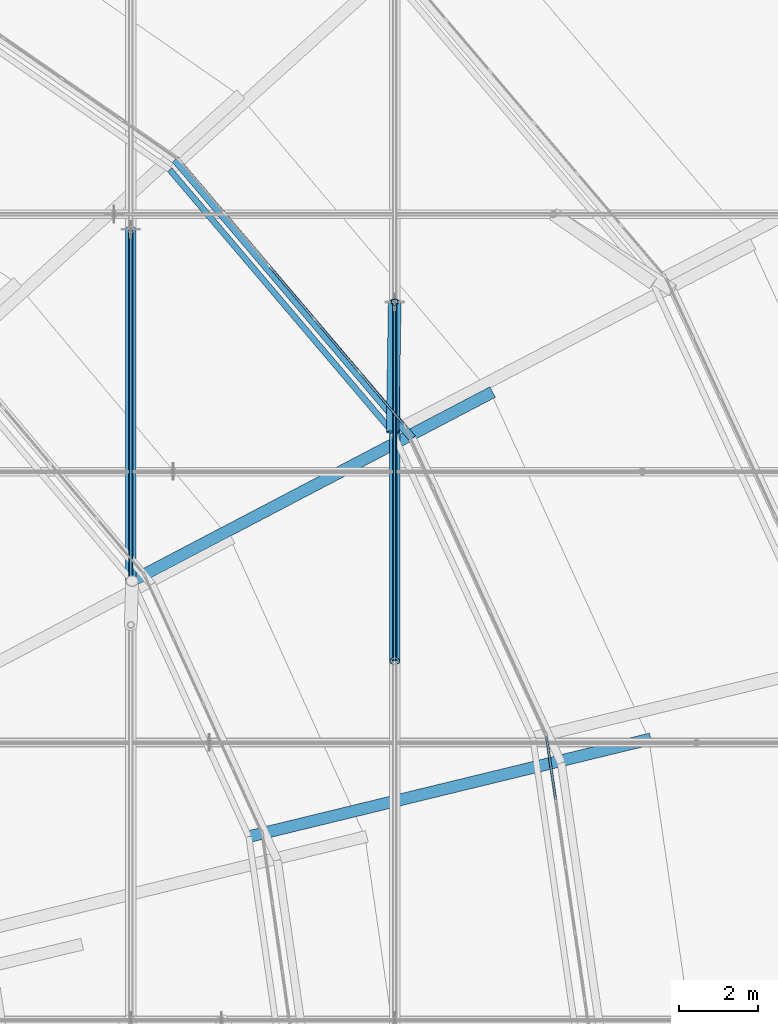
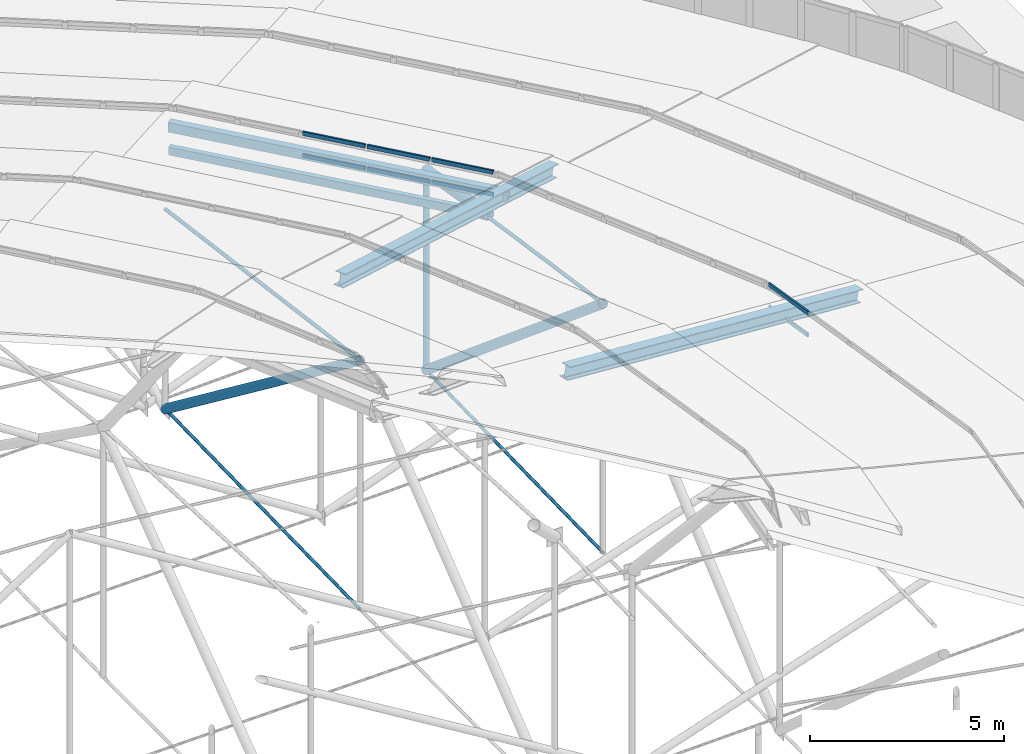
# One storey, part 95 of 173: 20 members, 2 elements without a shape of their own.
"""IFC4 building model written with IfcOpenShell, lengths in metres."""

import ifcopenshell
import ifcopenshell.guid

model = None  # the IFC model being written
_history = None  # IfcOwnerHistory: only IFC2X3 demands one
_inside = {}  # id of a spatial element -> (the spatial element, [elements in it])
_under = {}  # id of a project, library or spatial element -> (it, [spatial elements below it])
_declared = {}  # id of a project -> (the project, [libraries it declares])
_typed = {}  # id of a type object -> (the type object, [elements of that type])
_made_of = {}  # id of a material, layer set ... -> (it, [elements and type objects made of it])


def new_model(schema):
    """Start an empty IFC model of exactly this schema.

    Asked for "IFC4X3", IfcOpenShell would pick the latest addendum, in which some entities
    have other attributes; the version numbers below select the first issue.
    IFC2X3 requires an IfcOwnerHistory on every rooted entity: one is made here for all.
    """
    global model, _history
    if schema == "IFC4X3":
        model = ifcopenshell.file(schema_version=(4, 3, 0, 0))
    else:
        model = ifcopenshell.file(schema=schema)
    _inside.clear()
    _under.clear()
    _declared.clear()
    _typed.clear()
    _made_of.clear()
    _history = None
    if model.schema == "IFC2X3":
        org = make("IfcOrganization", Name="unknown")
        user = make(
            "IfcPersonAndOrganization",
            ThePerson=make("IfcPerson", FamilyName="unknown"),
            TheOrganization=org,
        )
        app = make(
            "IfcApplication",
            ApplicationDeveloper=org,
            Version="unknown",
            ApplicationFullName="unknown",
            ApplicationIdentifier="unknown",
        )
        _history = make(
            "IfcOwnerHistory",
            OwningUser=user,
            OwningApplication=app,
            ChangeAction="ADDED",
            CreationDate=0,
        )
    return model


def make(cls, **values):
    """One entity of the class cls with the attributes given. An attribute that is None is left unset."""
    return model.create_entity(
        cls, **{name: value for name, value in values.items() if value is not None}
    )


def rooted(cls, **values):
    """An entity with a GlobalId (a new one), such as an element, a storey or a relation."""
    return make(cls, GlobalId=ifcopenshell.guid.new(), OwnerHistory=_history, **values)


def si_unit(unit_type, name, prefix=None):
    """IfcSIUnit, for example si_unit("LENGTHUNIT", "METRE", prefix="MILLI")."""
    return make("IfcSIUnit", UnitType=unit_type, Prefix=prefix, Name=name)


def assignment(units):
    """IfcUnitAssignment: the units of a project."""
    return None if units is None else make("IfcUnitAssignment", Units=units)


def point(xyz):
    """IfcCartesianPoint."""
    return None if xyz is None else make("IfcCartesianPoint", Coordinates=xyz)


def direction(xyz):
    """IfcDirection."""
    return None if xyz is None else make("IfcDirection", DirectionRatios=xyz)


def frame(location, z_axis=None, x_axis=None):
    """IfcAxis2Placement3D, a coordinate frame: its origin and axes. An axis left out is left unset."""
    return make(
        "IfcAxis2Placement3D",
        Location=point(location),
        Axis=direction(z_axis),
        RefDirection=direction(x_axis),
    )


def frame_2d(location, x_axis=None):
    """IfcAxis2Placement2D, a coordinate frame in the plane: its origin and x axis."""
    return make(
        "IfcAxis2Placement2D", Location=point(location), RefDirection=direction(x_axis)
    )


def origin():
    """The frame at (0, 0, 0) with its axes left unset."""
    return frame((0.0, 0.0, 0.0))


def origin_2d():
    """The frame at (0, 0) in the plane with its x axis left unset."""
    return frame_2d((0.0, 0.0))


def place(relative_to, where):
    """IfcLocalPlacement: puts the frame where relative to a parent placement (None: the world)."""
    return make(
        "IfcLocalPlacement", PlacementRelTo=relative_to, RelativePlacement=where
    )


def context(
    kind, dimensions, precision=None, world=None, true_north=None, identifier=None
):
    """IfcGeometricRepresentationContext, for example the 3D "Model" context."""
    return make(
        "IfcGeometricRepresentationContext",
        ContextIdentifier=identifier,
        ContextType=kind,
        CoordinateSpaceDimension=dimensions,
        Precision=precision,
        WorldCoordinateSystem=world,
        TrueNorth=true_north,
    )


def subcontext(parent, identifier, kind, view, scale=None):
    """IfcGeometricRepresentationSubContext, for example "Body" below "Model"."""
    return make(
        "IfcGeometricRepresentationSubContext",
        ContextIdentifier=identifier,
        ContextType=kind,
        ParentContext=parent,
        TargetScale=scale,
        TargetView=view,
    )


def project(units=None, contexts=None):
    """IfcProject with its units and contexts."""
    return rooted(
        "IfcProject",
        Name="project",
        RepresentationContexts=contexts,
        UnitsInContext=assignment(units),
    )


def spatial(cls, under=None, at=None, **own):
    """A site, building, storey or space (cls), placed at a placement, below another one or the project."""
    s = rooted(cls, ObjectPlacement=at, **own)
    if under is not None:
        _under.setdefault(under.id(), (under, []))[1].append(s)
    return s


def profile(cls, at=None, kind="AREA", **sizes):
    """A parametric profile (cls). Its sizes go by their IFC names, for example OverallWidth=200.0."""
    return make(cls, ProfileType=kind, Position=at, **sizes)


def rectangle(**sizes):
    """IfcRectangleProfileDef."""
    return profile("IfcRectangleProfileDef", **sizes)


def hollow_rectangle(**sizes):
    """IfcRectangleHollowProfileDef."""
    return profile("IfcRectangleHollowProfileDef", **sizes)


def circle(**sizes):
    """IfcCircleProfileDef."""
    return profile("IfcCircleProfileDef", **sizes)


def hollow_circle(**sizes):
    """IfcCircleHollowProfileDef."""
    return profile("IfcCircleHollowProfileDef", **sizes)


def i_section(**sizes):
    """IfcIShapeProfileDef."""
    return profile("IfcIShapeProfileDef", **sizes)


def extrude(swept, where, along, depth):
    """IfcExtrudedAreaSolid: the profile swept, set in the frame where, extruded along a direction by depth."""
    return make(
        "IfcExtrudedAreaSolid",
        SweptArea=swept,
        Position=where,
        ExtrudedDirection=direction(along),
        Depth=depth,
    )


def shape(context_of_items, identifier, shape_type, items):
    """IfcShapeRepresentation: the items that make up one representation, for example the "Body"."""
    return make(
        "IfcShapeRepresentation",
        ContextOfItems=context_of_items,
        RepresentationIdentifier=identifier,
        RepresentationType=shape_type,
        Items=items,
    )


def material(Name=None, Category=None):
    """IfcMaterial."""
    return make("IfcMaterial", Name=Name, Category=Category)


def material_profile(
    of_material, cross_section, Name=None, Category=None, Priority=None
):
    """IfcMaterialProfile: a cross section and its material."""
    return make(
        "IfcMaterialProfile",
        Name=Name,
        Material=of_material,
        Profile=cross_section,
        Priority=Priority,
        Category=Category,
    )


def profile_set(profiles, Name=None, composite=None):
    """IfcMaterialProfileSet."""
    return make(
        "IfcMaterialProfileSet",
        Name=Name,
        MaterialProfiles=profiles,
        CompositeProfile=composite,
    )


def made_of(thing, what):
    """Note that an element or type object is made of a material, layer set ...; save() writes the relation."""
    if what is not None:
        _made_of.setdefault(what.id(), (what, []))[1].append(thing)
    return thing


def type_object(cls, material=None, **own):
    """A type object (cls), such as IfcWallType, which elements share."""
    return made_of(rooted(cls, **own), material)


def element(
    cls,
    number,
    at=None,
    inside=None,
    cuts=None,
    type_object=None,
    material=None,
    context=None,
    identifier="Body",
    shape_type=None,
    held_by="IfcProductDefinitionShape",
    body=None,
    shapes=None,
    **own,
):
    """One element of the class cls, such as IfcWall. Its Tag is "e" and its number.

    at: its placement. inside: the storey or other place that contains it. cuts: it is an
    opening in that element (IfcRelVoidsElement). A single representation is given by context,
    identifier, shape_type and body (its items); several are given by shapes. held_by: the class
    of the entity that holds the representations. save() writes the other relations.
    """
    e = rooted(cls, Tag="e%d" % number, ObjectPlacement=at, **own)
    if body is not None:
        shapes = [shape(context, identifier, shape_type, body)]
    if shapes is not None:
        e.Representation = make(held_by, Representations=shapes)
    if inside is not None:
        _inside.setdefault(inside.id(), (inside, []))[1].append(e)
    if cuts is not None:
        rooted(
            "IfcRelVoidsElement", RelatingBuildingElement=cuts, RelatedOpeningElement=e
        )
    if type_object is not None:
        _typed.setdefault(type_object.id(), (type_object, []))[1].append(e)
    return made_of(e, material)


def aggregate(whole, parts):
    """IfcRelAggregates: a whole, such as a stair, and the parts it consists of."""
    return rooted("IfcRelAggregates", RelatingObject=whole, RelatedObjects=parts)


def save(model, path):
    """Write the relations noted so far, then the file.

    IfcRelAggregates (storeys below a building ...), IfcRelContainedInSpatialStructure (elements
    in a storey), IfcRelDefinesByType, IfcRelAssociatesMaterial and IfcRelDeclares: one each for
    every whole, place, type object, material and project.
    """
    for whole, parts in _under.values():
        aggregate(whole, parts)
    for where, things in _inside.values():
        rooted(
            "IfcRelContainedInSpatialStructure",
            RelatedElements=things,
            RelatingStructure=where,
        )
    for kind, things in _typed.values():
        rooted("IfcRelDefinesByType", RelatedObjects=things, RelatingType=kind)
    for what, things in _made_of.values():
        rooted("IfcRelAssociatesMaterial", RelatedObjects=things, RelatingMaterial=what)
    for by, libraries in _declared.values():
        rooted("IfcRelDeclares", RelatingContext=by, RelatedDefinitions=libraries)
    model.write(path)


model = new_model("IFC4")

# Units and contexts
model_context = context("Model", 3, precision=1e-05, world=origin(), true_north=direction((0.0, 1.0)))
body_context = subcontext(model_context, "Body", "Model", "MODEL_VIEW")
ifc_project = project(units=[si_unit("LENGTHUNIT", "METRE"), si_unit("AREAUNIT", "SQUARE_METRE"), si_unit("VOLUMEUNIT", "CUBIC_METRE"), si_unit("PLANEANGLEUNIT", "RADIAN"), si_unit("MASSUNIT", "GRAM", prefix="KILO")], contexts=[model_context])

# Site, building, storey
site_placement = place(None, origin())
site = spatial("IfcSite", under=ifc_project, at=site_placement, CompositionType="ELEMENT")
building_placement = place(site_placement, origin())
building = spatial("IfcBuilding", under=site, at=building_placement, Name="Glasvene Arena", CompositionType="ELEMENT")
storey_placement = place(building_placement, frame((0.0, 0.0, 28.800048828125)))
storey = spatial("IfcBuildingStorey", under=building, at=storey_placement, Name="RF", CompositionType="ELEMENT", Elevation=28.800048828125)

# Curtain wall, members
ifc_material_1 = material(Name="Low-emissivity laminated double glazing", Category="glass")
curtain_wall_type_1 = type_object("IfcCurtainWallType", Name="CW-PET2-849x75", PredefinedType="USERDEFINED", material=ifc_material_1)
curtain_wall_1_placement = place(storey_placement, frame((126.449951171875, 71.85009765625, 0.0)))
curtain_wall_1 = element("IfcCurtainWall", 1, at=curtain_wall_1_placement, inside=storey, type_object=curtain_wall_type_1, Name="Petal ring 2-3 clerestory curtain wall 01", ObjectType="CURTAIN WALL", PredefinedType="USERDEFINED")
ifc_material_2 = material(Name="Anodised architectural aluminium", Category="aluminium")
ifc_material_profile_1 = material_profile(ifc_material_2, rectangle(XDim=0.050048828125, YDim=0.1201171875, at=origin_2d()), Name="ALU TRANSOM 50x120")
ifc_profile_set_1 = profile_set([ifc_material_profile_1], Name="Anodised architectural aluminium")
member_type_1 = type_object("IfcMemberType", Name="CW-TRN-120", PredefinedType="USERDEFINED", material=ifc_profile_set_1)
member_1_placement = place(storey_placement, frame((125.4677734375, 78.59375, 5.204833984375), z_axis=(-0.144159545441, 0.989554458056, 0.0), x_axis=(-0.989554458056, -0.144159545441, 0.0)))
member_1 = element("IfcMember", 2, at=member_1_placement, type_object=member_type_1, Name="CW-087 transom 5.1", ObjectType="TRANSOM", PredefinedType="USERDEFINED", context=body_context, shape_type="SweptSolid", body=[
    extrude(rectangle(XDim=0.050048828125, YDim=0.1201171875, at=origin_2d()), origin(), (0.0, 0.0, 1.0), 1.622314453125),
])
member_2_placement = place(storey_placement, frame((125.4677734375, 78.59375, 5.905029296875), z_axis=(-0.144159545441, 0.989554458056, 0.0), x_axis=(-0.989554458056, -0.144159545441, 0.0)))
member_2 = element("IfcMember", 3, at=member_2_placement, type_object=member_type_1, Name="CW-087 transom 5.2", ObjectType="TRANSOM", PredefinedType="USERDEFINED", context=body_context, shape_type="SweptSolid", body=[
    extrude(rectangle(XDim=0.050048828125, YDim=0.1201171875, at=origin_2d()), origin(), (0.0, 0.0, 1.0), 1.622314453125),
])
aggregate(curtain_wall_1, [member_1, member_2])

curtain_wall_type_2 = type_object("IfcCurtainWallType", Name="CW-PET2-882x75", PredefinedType="USERDEFINED", material=ifc_material_1)
curtain_wall_2_placement = place(storey_placement, frame((121.640380859375, 88.074951171875, 0.0)))
curtain_wall_2 = element("IfcCurtainWall", 4, at=curtain_wall_2_placement, inside=storey, type_object=curtain_wall_type_2, Name="Petal ring 2-3 clerestory curtain wall 03", ObjectType="CURTAIN WALL", PredefinedType="USERDEFINED")
member_3_placement = place(storey_placement, frame((121.60791015625, 88.113037109375, 5.204833984375), z_axis=(-0.647127758529, 0.762381573847, 0.0), x_axis=(-0.762381573847, -0.647127758529, 0.0)))
member_3 = element("IfcMember", 5, at=member_3_placement, type_object=member_type_1, Name="CW-089 transom 1.1", ObjectType="TRANSOM", PredefinedType="USERDEFINED", context=body_context, shape_type="SweptSolid", body=[
    extrude(rectangle(XDim=0.050048828125, YDim=0.1201171875, at=origin_2d()), origin(), (0.0, 0.0, 1.0), 1.688232421875),
])
member_4_placement = place(storey_placement, frame((121.60791015625, 88.113037109375, 5.905029296875), z_axis=(-0.647127758529, 0.762381573847, 0.0), x_axis=(-0.762381573847, -0.647127758529, 0.0)))
member_4 = element("IfcMember", 6, at=member_4_placement, type_object=member_type_1, Name="CW-089 transom 1.2", ObjectType="TRANSOM", PredefinedType="USERDEFINED", context=body_context, shape_type="SweptSolid", body=[
    extrude(rectangle(XDim=0.050048828125, YDim=0.1201171875, at=origin_2d()), origin(), (0.0, 0.0, 1.0), 1.688232421875),
])
member_5_placement = place(storey_placement, frame((120.483154296875, 89.438232421875, 5.204833984375), z_axis=(-0.647180817857, 0.76233653264, 0.0), x_axis=(-0.76233653264, -0.647180817857, 0.0)))
member_5 = element("IfcMember", 7, at=member_5_placement, type_object=member_type_1, Name="CW-089 transom 2.1", ObjectType="TRANSOM", PredefinedType="USERDEFINED", context=body_context, shape_type="SweptSolid", body=[
    extrude(rectangle(XDim=0.050048828125, YDim=0.1201171875, at=origin_2d()), origin(), (0.0, 0.0, 1.0), 1.713134765625),
])
member_6_placement = place(storey_placement, frame((120.483154296875, 89.438232421875, 5.905029296875), z_axis=(-0.647180817857, 0.76233653264, 0.0), x_axis=(-0.76233653264, -0.647180817857, 0.0)))
member_6 = element("IfcMember", 8, at=member_6_placement, type_object=member_type_1, Name="CW-089 transom 2.2", ObjectType="TRANSOM", PredefinedType="USERDEFINED", context=body_context, shape_type="SweptSolid", body=[
    extrude(rectangle(XDim=0.050048828125, YDim=0.1201171875, at=origin_2d()), origin(), (0.0, 0.0, 1.0), 1.713134765625),
])
member_7_placement = place(storey_placement, frame((119.342041015625, 90.7822265625, 5.204833984375), z_axis=(-0.647110507983, 0.762396216188, 0.0), x_axis=(-0.762396216188, -0.647110507983, 0.0)))
member_7 = element("IfcMember", 9, at=member_7_placement, type_object=member_type_1, Name="CW-089 transom 3.1", ObjectType="TRANSOM", PredefinedType="USERDEFINED", context=body_context, shape_type="SweptSolid", body=[
    extrude(rectangle(XDim=0.050048828125, YDim=0.1201171875, at=origin_2d()), origin(), (0.0, 0.0, 1.0), 1.713134765625),
])
member_8_placement = place(storey_placement, frame((119.342041015625, 90.7822265625, 5.905029296875), z_axis=(-0.647110507983, 0.762396216188, 0.0), x_axis=(-0.762396216188, -0.647110507983, 0.0)))
member_8 = element("IfcMember", 10, at=member_8_placement, type_object=member_type_1, Name="CW-089 transom 3.2", ObjectType="TRANSOM", PredefinedType="USERDEFINED", context=body_context, shape_type="SweptSolid", body=[
    extrude(rectangle(XDim=0.050048828125, YDim=0.1201171875, at=origin_2d()), origin(), (0.0, 0.0, 1.0), 1.713134765625),
])
aggregate(curtain_wall_2, [member_3, member_4, member_5, member_6, member_7, member_8])

# Members
ifc_material_3 = material(Name="High-strength steel spiral strand S460", Category="steel")
ifc_material_profile_2 = material_profile(ifc_material_3, circle(Radius=0.052490234375, at=origin_2d()), Name="LCSS D105")
ifc_profile_set_2 = profile_set([ifc_material_profile_2], Name="High-strength steel spiral strand S460")
member_type_2 = type_object("IfcMemberType", Name="MB-CABLE-105", PredefinedType="USERDEFINED", material=ifc_profile_set_2)
member_9_placement = place(storey_placement, frame((121.389404296875, 82.101318359375, 5.499267578125), z_axis=(0.0, 0.989455776877, -0.144835305108), x_axis=(-1.0, 0.0, 0.0)))
element("IfcMember", 11, at=member_9_placement, inside=storey, type_object=member_type_2, Name="Upper lens roof cable NS01-06", ObjectType="ROOF CABLE", PredefinedType="USERDEFINED", context=body_context, shape_type="SweptSolid", body=[
    extrude(circle(Radius=0.052490234375, at=origin_2d()), origin(), (0.0, 0.0, 1.0), 9.198486328125),
])
member_10_placement = place(storey_placement, frame((114.699462890625, 83.023681640625, 5.499267578125), z_axis=(0.0, 0.991282849218, -0.131750950075), x_axis=(-1.0, 0.0, 0.0)))
element("IfcMember", 12, at=member_10_placement, inside=storey, type_object=member_type_2, Name="Upper lens roof cable NS02-06", ObjectType="ROOF CABLE", PredefinedType="USERDEFINED", context=body_context, shape_type="SweptSolid", body=[
    extrude(circle(Radius=0.052490234375, at=origin_2d()), origin(), (0.0, 0.0, 1.0), 10.112060546875),
])
ifc_material_profile_3 = material_profile(ifc_material_3, circle(Radius=0.044921875, at=origin_2d()), Name="LCSS D90")
ifc_profile_set_3 = profile_set([ifc_material_profile_3], Name="High-strength steel spiral strand S460")
member_type_3 = type_object("IfcMemberType", Name="MB-CABLE-90", PredefinedType="USERDEFINED", material=ifc_profile_set_3)
member_11_placement = place(storey_placement, frame((121.389404296875, 82.101318359375, -2.328125), z_axis=(0.0, 0.999719613617, 0.023678981192), x_axis=(-1.0, 0.0, 0.0)))
element("IfcMember", 13, at=member_11_placement, inside=storey, type_object=member_type_3, Name="Lower stabilization roof cable NS01-06", ObjectType="ROOF CABLE", PredefinedType="USERDEFINED", context=body_context, shape_type="SweptSolid", body=[
    extrude(circle(Radius=0.044921875, at=origin_2d()), origin(), (0.0, 0.0, 1.0), 9.10400390625),
])
member_12_placement = place(storey_placement, frame((114.699462890625, 83.023681640625, -2.328125), z_axis=(0.0, 0.999768822687, 0.021501190278), x_axis=(-1.0, 0.0, 0.0)))
element("IfcMember", 14, at=member_12_placement, inside=storey, type_object=member_type_3, Name="Lower stabilization roof cable NS02-06", ObjectType="ROOF CABLE", PredefinedType="USERDEFINED", context=body_context, shape_type="SweptSolid", body=[
    extrude(circle(Radius=0.044921875, at=origin_2d()), origin(), (0.0, 0.0, 1.0), 10.026123046875),
])
ifc_material_4 = material(Name="Steel S355J2", Category="steel")
ifc_material_profile_4 = material_profile(ifc_material_4, i_section(OverallWidth=0.300048828125, OverallDepth=0.39990234375, WebThickness=0.013427734375, FlangeThickness=0.02392578125, FilletRadius=0.027099609375, at=origin_2d()), Name="HEB 400")
ifc_profile_set_4 = profile_set([ifc_material_profile_4], Name="Steel S355J2")
member_type_4 = type_object("IfcMemberType", Name="MB-CHORD-HEB400", PredefinedType="CHORD", material=ifc_profile_set_4)
member_13_placement = place(storey_placement, frame((127.83349609375, 80.12109375, 4.75), z_axis=(-0.942863727983, -0.229326828452, 0.241696496059), x_axis=(0.236333673575, -0.971671958397, 0.0)))
element("IfcMember", 15, at=member_13_placement, inside=storey, type_object=member_type_4, Name="Petal ring 3 radial rib 02", PredefinedType="CHORD", context=body_context, shape_type="SweptSolid", body=[
    extrude(i_section(OverallWidth=0.300048828125, OverallDepth=0.39990234375, WebThickness=0.013427734375, FlangeThickness=0.02392578125, FilletRadius=0.027099609375, at=origin_2d()), origin(), (0.0, 0.0, 1.0), 10.756591796875),
])
member_14_placement = place(storey_placement, frame((123.82763671875, 88.89990234375, 4.75), z_axis=(-0.858636606048, -0.449973900914, 0.24549270305), x_axis=(0.464178487399, -0.885741684599, 0.0)))
element("IfcMember", 16, at=member_14_placement, inside=storey, type_object=member_type_4, Name="Petal ring 3 radial rib 03", PredefinedType="CHORD", context=body_context, shape_type="SweptSolid", body=[
    extrude(i_section(OverallWidth=0.300048828125, OverallDepth=0.39990234375, WebThickness=0.013427734375, FlangeThickness=0.02392578125, FilletRadius=0.027099609375, at=origin_2d()), origin(), (0.0, 0.0, 1.0), 10.59033203125),
])
ifc_material_profile_5 = material_profile(ifc_material_4, hollow_circle(Radius=0.161865234375, WallThickness=0.01611328125, at=origin_2d()), Name="CHS 323.9x16.0")
ifc_profile_set_5 = profile_set([ifc_material_profile_5], Name="Steel S355J2")
member_type_5 = type_object("IfcMemberType", Name="MB-POST-CHS324", PredefinedType="BRACE", material=ifc_profile_set_5)
member_15_placement = place(storey_placement, frame((121.389404296875, 91.202880859375, 4.1669921875), z_axis=(-0.01558212302, -0.982911582445, 0.183417606947), x_axis=(0.999874364461, -0.015851034447, 0.0)))
element("IfcMember", 17, at=member_15_placement, inside=storey, type_object=member_type_5, Name="Petal ring 2 ridge support post 03", PredefinedType="BRACE", context=body_context, shape_type="SweptSolid", body=[
    extrude(hollow_circle(Radius=0.161865234375, WallThickness=0.01611328125, at=origin_2d()), origin(), (0.0, 0.0, 1.0), 3.35302734375),
])
ifc_material_profile_6 = material_profile(ifc_material_4, hollow_rectangle(XDim=0.14990234375, YDim=0.25, WallThickness=0.010009765625, at=origin_2d()), Name="RHS 250x150x10.0")
ifc_profile_set_6 = profile_set([ifc_material_profile_6], Name="Steel S355J2")
member_type_6 = type_object("IfcMemberType", Name="MB-PURLIN-RHS250", PredefinedType="PURLIN", material=ifc_profile_set_6)
member_16_placement = place(storey_placement, frame((121.337158203125, 87.9072265625, 4.781982421875), z_axis=(-0.64736577279, 0.762179477696, 0.0), x_axis=(-0.762179477696, -0.64736577279, 0.0)))
element("IfcMember", 18, at=member_16_placement, inside=storey, type_object=member_type_6, Name="Petal ring 2 ridge purlin 03", PredefinedType="PURLIN", context=body_context, shape_type="SweptSolid", body=[
    extrude(hollow_rectangle(XDim=0.14990234375, YDim=0.25, WallThickness=0.010009765625, at=origin_2d()), origin(), (0.0, 0.0, 1.0), 8.726806640625),
])
ifc_material_profile_7 = material_profile(ifc_material_4, hollow_rectangle(XDim=0.199951171875, YDim=0.300048828125, WallThickness=0.012451171875, at=origin_2d()), Name="RHS 300x200x12.5")
ifc_profile_set_7 = profile_set([ifc_material_profile_7], Name="Steel S355J2")
member_type_7 = type_object("IfcMemberType", Name="MB-PURLIN-RHS300", PredefinedType="PURLIN", material=ifc_profile_set_7)
member_17_placement = place(storey_placement, frame((121.835693359375, 87.75, 5.33935546875), z_axis=(-0.647909031053, 0.761717721653, 0.0), x_axis=(-0.761717721653, -0.647909031053, 0.0)))
element("IfcMember", 19, at=member_17_placement, inside=storey, type_object=member_type_7, Name="Petal ring 3 outer purlin 03", PredefinedType="PURLIN", context=body_context, shape_type="SweptSolid", body=[
    extrude(hollow_rectangle(XDim=0.199951171875, YDim=0.300048828125, WallThickness=0.012451171875, at=origin_2d()), origin(), (0.0, 0.0, 1.0), 9.271484375),
])
ifc_material_profile_8 = material_profile(ifc_material_4, hollow_circle(Radius=0.084228515625, WallThickness=0.008056640625, at=origin_2d()), Name="CHS 168.3x8.0")
ifc_profile_set_8 = profile_set([ifc_material_profile_8], Name="Steel S355J2")
member_type_8 = type_object("IfcMemberType", Name="MB-WEB-CHS168", PredefinedType="BRACE", material=ifc_profile_set_8)
member_18_placement = place(storey_placement, frame((121.389404296875, 91.202880859375, -2.112548828125), z_axis=(0.0, 0.0, 1.0), x_axis=(1.0, 0.0, 0.0)))
element("IfcMember", 20, at=member_18_placement, inside=storey, type_object=member_type_8, Name="Cable-truss vertical strut NS01-06", PredefinedType="BRACE", context=body_context, shape_type="SweptSolid", body=[
    extrude(hollow_circle(Radius=0.084228515625, WallThickness=0.008056640625, at=origin_2d()), origin(), (0.0, 0.0, 1.0), 6.279541015625),
])
ifc_material_profile_9 = material_profile(ifc_material_4, hollow_circle(Radius=0.136474609375, WallThickness=0.012451171875, at=origin_2d()), Name="CHS 273.0x12.5")
ifc_profile_set_9 = profile_set([ifc_material_profile_9], Name="Steel S355J2")
member_type_9 = type_object("IfcMemberType", Name="MB-WEB-CHS273", PredefinedType="BRACE", material=ifc_profile_set_9)
member_19_placement = place(storey_placement, frame((121.389404296875, 82.101318359375, 5.499267578125), z_axis=(0.0, 0.767093439996, -0.641535388202), x_axis=(-1.0, 0.0, 0.0)))
element("IfcMember", 21, at=member_19_placement, inside=storey, type_object=member_type_9, Name="Cable-truss diagonal web strut NS01-06", PredefinedType="BRACE", context=body_context, shape_type="SweptSolid", body=[
    extrude(hollow_circle(Radius=0.136474609375, WallThickness=0.012451171875, at=origin_2d()), origin(), (0.0, 0.0, 1.0), 11.864990234375),
])
member_20_placement = place(storey_placement, frame((114.699462890625, 83.023681640625, 5.499267578125), z_axis=(0.0, 0.796405832575, -0.604762556579), x_axis=(-1.0, 0.0, 0.0)))
element("IfcMember", 22, at=member_20_placement, inside=storey, type_object=member_type_9, Name="Cable-truss diagonal web strut NS02-06", PredefinedType="BRACE", context=body_context, shape_type="SweptSolid", body=[
    extrude(hollow_circle(Radius=0.136474609375, WallThickness=0.012451171875, at=origin_2d()), origin(), (0.0, 0.0, 1.0), 12.58642578125),
])

save(model, "model.ifc")
